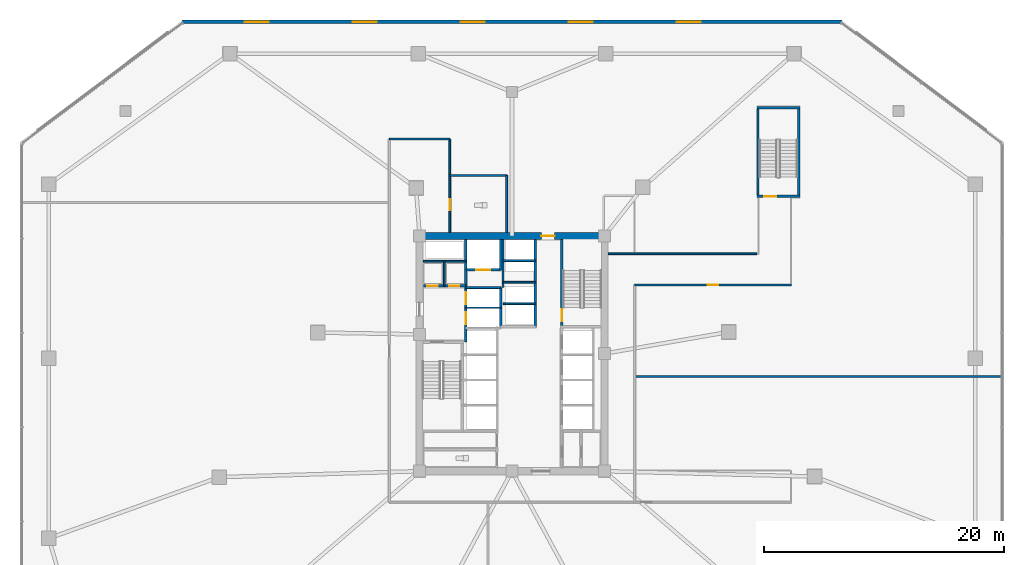
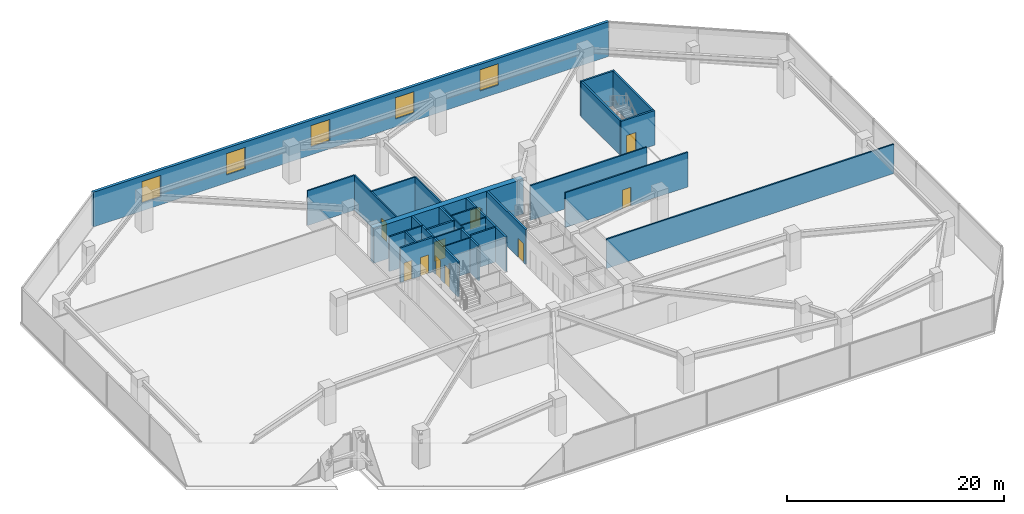
# One storey, part 12 of 21: 28 walls, 10 doors, 5 windows, 15 openings.
"""IFC4 building model written with IfcOpenShell, lengths in metres."""

from ifc_helpers import new_model, si_unit, direction, frame, frame_2d, origin, place, context, subcontext, project, spatial, rectangle, extrude, material, layer, layer_set, type_object, element, fill, save


model = new_model("IFC4")

# Units and contexts
model_context = context("Model", 3, precision=1e-05, world=origin(), true_north=direction((0.0, 1.0)))
body_context = subcontext(model_context, "Body", "Model", "MODEL_VIEW")
ifc_project = project(units=[si_unit("LENGTHUNIT", "METRE"), si_unit("AREAUNIT", "SQUARE_METRE"), si_unit("VOLUMEUNIT", "CUBIC_METRE"), si_unit("PLANEANGLEUNIT", "RADIAN"), si_unit("MASSUNIT", "GRAM", prefix="KILO")], contexts=[model_context])

# Site, building, storey
site_placement = place(None, origin())
site = spatial("IfcSite", under=ifc_project, at=site_placement, CompositionType="ELEMENT")
building_placement = place(site_placement, origin())
building = spatial("IfcBuilding", under=site, at=building_placement, Name="Savorim Split Tower", CompositionType="ELEMENT")
storey_placement = place(building_placement, frame((0.0, 0.0, 9.199951171875)))
storey = spatial("IfcBuildingStorey", under=building, at=storey_placement, Name="L02", CompositionType="ELEMENT", Elevation=9.199951171875)

# Wall, opening, door
ifc_material_1 = material(Name="Concrete C60/75", Category="concrete")
ifc_layer_1 = layer(ifc_material_1, 0.60009765625)
ifc_layer_set_1 = layer_set([ifc_layer_1], Name="WAL-COR-SH600")
wall_type_1 = type_object("IfcWallType", Name="WAL-COR-SH600", PredefinedType="SHEAR", material=ifc_layer_set_1)
wall_1_placement = place(storey_placement, frame((8.0, 10.199951171875, 0.0), z_axis=(0.0, 0.0, 1.0), x_axis=(-1.0, 0.0, 0.0)))
wall_1 = element("IfcWall", 1, at=wall_1_placement, inside=storey, type_object=wall_type_1, Name="L02 Offset Core North Shear Wall", PredefinedType="SHEAR", context=body_context, shape_type="SweptSolid", body=[
    extrude(rectangle(XDim=16.0, YDim=0.60009765625, at=frame_2d((8.0, 0.0))), origin(), (0.0, 0.0, 1.0), 3.920166015625),
])
opening_1_placement = place(wall_1_placement, frame((4.449951171875, 0.0, 0.0)))
opening_1 = element("IfcOpeningElement", 2, at=opening_1_placement, cuts=wall_1, Name="Opening DI-03", PredefinedType="OPENING", context=body_context, shape_type="SweptSolid", body=[
    extrude(rectangle(XDim=1.10009765625, YDim=2.14990234375, at=frame_2d((0.550048828125, 1.074951171875))), frame((0.0, 0.31005859375, 0.0), z_axis=(0.0, -1.0, 0.0), x_axis=(1.0, 0.0, 0.0)), (0.0, 0.0, 1.0), 0.6201171875),
])
ifc_material_2 = material(Name="Timber Fire Door Leaf", Category="wood")
door_type_1 = type_object("IfcDoorType", Name="DOR-FIR-1100", OperationType="NOTDEFINED", PredefinedType="DOOR", material=ifc_material_2)
door_1_placement = place(opening_1_placement, origin())
door_1 = element("IfcDoor", 3, at=door_1_placement, inside=storey, type_object=door_type_1, Name="DOR-L02-COR-NLOB - L02 North Corridor Lobby Fire Door", OperationType="SINGLE_SWING_LEFT", OverallHeight=2.14990234375, OverallWidth=1.10009765625, PredefinedType="DOOR", context=body_context, shape_type="SweptSolid", body=[
    extrude(rectangle(XDim=1.10009765625, YDim=2.14990234375, at=frame_2d((0.550048828125, 1.074951171875))), frame((0.0, 0.02490234375, 0.0), z_axis=(0.0, -1.0, 0.0), x_axis=(1.0, 0.0, 0.0)), (0.0, 0.0, 1.0), 0.050048828125),
])
fill(opening_1, door_1)

# Wall, openings, windows
ifc_material_3 = material(Name="Concrete C50/60", Category="concrete")
ifc_layer_2 = layer(ifc_material_3, 0.300048828125)
ifc_layer_set_2 = layer_set([ifc_layer_2], Name="WAL-EXT-POD300")
wall_type_2 = type_object("IfcWallType", Name="WAL-EXT-POD300", PredefinedType="SOLIDWALL", material=ifc_layer_set_2)
wall_2_placement = place(storey_placement, frame((-27.47998046875, 28.0400390625, 0.0), z_axis=(0.0, 0.0, 1.0), x_axis=(1.0, 0.0, 0.0)))
wall_2 = element("IfcWall", 4, at=wall_2_placement, inside=storey, type_object=wall_type_2, Name="L02 North Podium Window Wall", PredefinedType="SOLIDWALL", context=body_context, shape_type="SweptSolid", body=[
    extrude(rectangle(XDim=54.9599609375, YDim=0.300048828125, at=frame_2d((27.47998046875, 0.0))), origin(), (0.0, 0.0, 1.0), 3.920166015625),
])
opening_2_placement = place(wall_2_placement, frame((5.199951171875, 0.0, 0.89990234375)))
opening_2 = element("IfcOpeningElement", 5, at=opening_2_placement, cuts=wall_2, Name="Opening WN-02", PredefinedType="OPENING", context=body_context, shape_type="SweptSolid", body=[
    extrude(rectangle(XDim=2.0, YDim=2.39990234375, at=frame_2d((1.0, 1.199951171875))), frame((0.0, 0.159912109375, 0.0), z_axis=(0.0, -1.0, 0.0), x_axis=(1.0, 0.0, 0.0)), (0.0, 0.0, 1.0), 0.320068359375),
])
opening_3_placement = place(wall_2_placement, frame((14.199951171875, 0.0, 0.89990234375)))
opening_3 = element("IfcOpeningElement", 6, at=opening_3_placement, cuts=wall_2, Name="Opening WN-02", PredefinedType="OPENING", context=body_context, shape_type="SweptSolid", body=[
    extrude(rectangle(XDim=2.0, YDim=2.39990234375, at=frame_2d((1.0, 1.199951171875))), frame((0.0, 0.159912109375, 0.0), z_axis=(0.0, -1.0, 0.0), x_axis=(1.0, 0.0, 0.0)), (0.0, 0.0, 1.0), 0.320068359375),
])
opening_4_placement = place(wall_2_placement, frame((23.199951171875, 0.0, 0.89990234375)))
opening_4 = element("IfcOpeningElement", 7, at=opening_4_placement, cuts=wall_2, Name="Opening WN-02", PredefinedType="OPENING", context=body_context, shape_type="SweptSolid", body=[
    extrude(rectangle(XDim=2.0, YDim=2.39990234375, at=frame_2d((1.0, 1.199951171875))), frame((0.0, 0.159912109375, 0.0), z_axis=(0.0, -1.0, 0.0), x_axis=(1.0, 0.0, 0.0)), (0.0, 0.0, 1.0), 0.320068359375),
])
opening_5_placement = place(wall_2_placement, frame((32.199951171875, 0.0, 0.89990234375)))
opening_5 = element("IfcOpeningElement", 8, at=opening_5_placement, cuts=wall_2, Name="Opening WN-02", PredefinedType="OPENING", context=body_context, shape_type="SweptSolid", body=[
    extrude(rectangle(XDim=2.0, YDim=2.39990234375, at=frame_2d((1.0, 1.199951171875))), frame((0.0, 0.159912109375, 0.0), z_axis=(0.0, -1.0, 0.0), x_axis=(1.0, 0.0, 0.0)), (0.0, 0.0, 1.0), 0.320068359375),
])
opening_6_placement = place(wall_2_placement, frame((41.199951171875, 0.0, 0.89990234375)))
opening_6 = element("IfcOpeningElement", 9, at=opening_6_placement, cuts=wall_2, Name="Opening WN-02", PredefinedType="OPENING", context=body_context, shape_type="SweptSolid", body=[
    extrude(rectangle(XDim=2.0, YDim=2.39990234375, at=frame_2d((1.0, 1.199951171875))), frame((0.0, 0.159912109375, 0.0), z_axis=(0.0, -1.0, 0.0), x_axis=(1.0, 0.0, 0.0)), (0.0, 0.0, 1.0), 0.320068359375),
])
ifc_material_4 = material(Name="Low-E Operable Double Glazing", Category="glass")
window_type = type_object("IfcWindowType", Name="WIN-POD-2000x2400", PartitioningType="DOUBLE_PANEL_VERTICAL", PredefinedType="WINDOW", material=ifc_material_4)
window_1_placement = place(opening_2_placement, origin())
window_1 = element("IfcWindow", 10, at=window_1_placement, inside=storey, type_object=window_type, Name="L02 North Podium Operable Window 1", OverallHeight=2.39990234375, OverallWidth=2.0, PartitioningType="SINGLE_PANEL", PredefinedType="WINDOW", context=body_context, shape_type="SweptSolid", body=[
    extrude(rectangle(XDim=2.0, YDim=2.39990234375, at=frame_2d((1.0, 1.199951171875))), frame((0.0, 0.030029296875, 0.0), z_axis=(0.0, -1.0, 0.0), x_axis=(1.0, 0.0, 0.0)), (0.0, 0.0, 1.0), 0.06005859375),
])
fill(opening_2, window_1)
window_2_placement = place(opening_3_placement, origin())
window_2 = element("IfcWindow", 11, at=window_2_placement, inside=storey, type_object=window_type, Name="L02 North Podium Operable Window 2", OverallHeight=2.39990234375, OverallWidth=2.0, PartitioningType="SINGLE_PANEL", PredefinedType="WINDOW", context=body_context, shape_type="SweptSolid", body=[
    extrude(rectangle(XDim=2.0, YDim=2.39990234375, at=frame_2d((1.0, 1.199951171875))), frame((0.0, 0.030029296875, 0.0), z_axis=(0.0, -1.0, 0.0), x_axis=(1.0, 0.0, 0.0)), (0.0, 0.0, 1.0), 0.06005859375),
])
fill(opening_3, window_2)
window_3_placement = place(opening_4_placement, origin())
window_3 = element("IfcWindow", 12, at=window_3_placement, inside=storey, type_object=window_type, Name="L02 North Podium Operable Window 3", OverallHeight=2.39990234375, OverallWidth=2.0, PartitioningType="SINGLE_PANEL", PredefinedType="WINDOW", context=body_context, shape_type="SweptSolid", body=[
    extrude(rectangle(XDim=2.0, YDim=2.39990234375, at=frame_2d((1.0, 1.199951171875))), frame((0.0, 0.030029296875, 0.0), z_axis=(0.0, -1.0, 0.0), x_axis=(1.0, 0.0, 0.0)), (0.0, 0.0, 1.0), 0.06005859375),
])
fill(opening_4, window_3)
window_4_placement = place(opening_5_placement, origin())
window_4 = element("IfcWindow", 13, at=window_4_placement, inside=storey, type_object=window_type, Name="L02 North Podium Operable Window 4", OverallHeight=2.39990234375, OverallWidth=2.0, PartitioningType="SINGLE_PANEL", PredefinedType="WINDOW", context=body_context, shape_type="SweptSolid", body=[
    extrude(rectangle(XDim=2.0, YDim=2.39990234375, at=frame_2d((1.0, 1.199951171875))), frame((0.0, 0.030029296875, 0.0), z_axis=(0.0, -1.0, 0.0), x_axis=(1.0, 0.0, 0.0)), (0.0, 0.0, 1.0), 0.06005859375),
])
fill(opening_5, window_4)
window_5_placement = place(opening_6_placement, origin())
window_5 = element("IfcWindow", 14, at=window_5_placement, inside=storey, type_object=window_type, Name="L02 North Podium Operable Window 5", OverallHeight=2.39990234375, OverallWidth=2.0, PartitioningType="SINGLE_PANEL", PredefinedType="WINDOW", context=body_context, shape_type="SweptSolid", body=[
    extrude(rectangle(XDim=2.0, YDim=2.39990234375, at=frame_2d((1.0, 1.199951171875))), frame((0.0, 0.030029296875, 0.0), z_axis=(0.0, -1.0, 0.0), x_axis=(1.0, 0.0, 0.0)), (0.0, 0.0, 1.0), 0.06005859375),
])
fill(opening_6, window_5)

# Wall, openings, doors
ifc_layer_3 = layer(ifc_material_3, 0.199951171875)
ifc_layer_set_3 = layer_set([ifc_layer_3], Name="WAL-INT-RC200")
wall_type_3 = type_object("IfcWallType", Name="WAL-INT-RC200", PredefinedType="SOLIDWALL", material=ifc_layer_set_3)
wall_3_placement = place(storey_placement, frame((-3.85009765625, 1.35009765625, 0.0), z_axis=(0.0, 0.0, 1.0), x_axis=(0.0, 1.0, 0.0)))
wall_3 = element("IfcWall", 15, at=wall_3_placement, inside=storey, type_object=wall_type_3, Name="L02 Partition W-L02-CR03", PredefinedType="SOLIDWALL", context=body_context, shape_type="SweptSolid", body=[
    extrude(rectangle(XDim=8.544921875, YDim=0.199951171875, at=frame_2d((4.2724609375, 0.0))), origin(), (0.0, 0.0, 1.0), 3.920166015625),
])
opening_7_placement = place(wall_3_placement, frame((1.5, 0.0, 0.0)))
opening_7 = element("IfcOpeningElement", 16, at=opening_7_placement, cuts=wall_3, Name="Opening LD-FFL", PredefinedType="OPENING", context=body_context, shape_type="SweptSolid", body=[
    extrude(rectangle(XDim=1.0, YDim=2.14990234375, at=frame_2d((0.5, 1.074951171875))), frame((0.0, 0.10986328125, 0.0), z_axis=(0.0, -1.0, 0.0), x_axis=(1.0, 0.0, 0.0)), (0.0, 0.0, 1.0), 0.219970703125),
])
opening_8_placement = place(wall_3_placement, frame((3.179931640625, 0.0, 0.0)))
opening_8 = element("IfcOpeningElement", 17, at=opening_8_placement, cuts=wall_3, Name="Opening LD-FFL", PredefinedType="OPENING", context=body_context, shape_type="SweptSolid", body=[
    extrude(rectangle(XDim=1.0, YDim=2.14990234375, at=frame_2d((0.5, 1.074951171875))), frame((0.0, 0.10986328125, 0.0), z_axis=(0.0, -1.0, 0.0), x_axis=(1.0, 0.0, 0.0)), (0.0, 0.0, 1.0), 0.219970703125),
])
ifc_material_5 = material(Name="Charcoal Anodised Aluminium", Category="aluminium")
door_type_2 = type_object("IfcDoorType", Name="DOR-SLD-LD1000", OperationType="NOTDEFINED", PredefinedType="DOOR", material=ifc_material_5)
door_2_placement = place(opening_7_placement, origin())
door_2 = element("IfcDoor", 18, at=door_2_placement, inside=storey, type_object=door_type_2, Name="DR-L02-LD-FFL1 - L02 Firefighting Lift FFL-1 Sliding Landing Door", OperationType="DOUBLE_DOOR_SLIDING", OverallHeight=2.14990234375, OverallWidth=1.0, PredefinedType="DOOR", context=body_context, shape_type="SweptSolid", body=[
    extrude(rectangle(XDim=1.0, YDim=2.14990234375, at=frame_2d((0.5, 1.074951171875))), frame((0.0, 0.02490234375, 0.0), z_axis=(0.0, -1.0, 0.0), x_axis=(1.0, 0.0, 0.0)), (0.0, 0.0, 1.0), 0.050048828125),
])
fill(opening_7, door_2)
door_3_placement = place(opening_8_placement, origin())
door_3 = element("IfcDoor", 19, at=door_3_placement, inside=storey, type_object=door_type_2, Name="DR-L02-LD-FFL2 - L02 Firefighting Lift FFL-2 Sliding Landing Door", OperationType="DOUBLE_DOOR_SLIDING", OverallHeight=2.14990234375, OverallWidth=1.0, PredefinedType="DOOR", context=body_context, shape_type="SweptSolid", body=[
    extrude(rectangle(XDim=1.0, YDim=2.14990234375, at=frame_2d((0.5, 1.074951171875))), frame((0.0, 0.02490234375, 0.0), z_axis=(0.0, -1.0, 0.0), x_axis=(1.0, 0.0, 0.0)), (0.0, 0.0, 1.0), 0.050048828125),
])
fill(opening_8, door_3)

wall_4_placement = place(storey_placement, frame((-7.39501953125, 6.050048828125, 0.0), z_axis=(0.0, 0.0, 1.0), x_axis=(1.0, 0.0, 0.0)))
wall_4 = element("IfcWall", 20, at=wall_4_placement, inside=storey, type_object=wall_type_3, Name="L02 Partition W-L02-CR04", PredefinedType="SOLIDWALL", context=body_context, shape_type="SweptSolid", body=[
    extrude(rectangle(XDim=3.544921875, YDim=0.199951171875, at=frame_2d((1.7724609375, 0.0))), origin(), (0.0, 0.0, 1.0), 3.920166015625),
])
opening_9_placement = place(wall_4_placement, frame((0.344970703125, 0.0, 0.0)))
opening_9 = element("IfcOpeningElement", 21, at=opening_9_placement, cuts=wall_4, Name="Opening DI-12", PredefinedType="OPENING", context=body_context, shape_type="SweptSolid", body=[
    extrude(rectangle(XDim=0.85009765625, YDim=2.10009765625, at=frame_2d((0.425048828125, 1.050048828125))), frame((0.0, 0.10986328125, 0.0), z_axis=(0.0, -1.0, 0.0), x_axis=(1.0, 0.0, 0.0)), (0.0, 0.0, 1.0), 0.219970703125),
])
opening_10_placement = place(wall_4_placement, frame((2.14501953125, 0.0, 0.0)))
opening_10 = element("IfcOpeningElement", 22, at=opening_10_placement, cuts=wall_4, Name="Opening DI-12", PredefinedType="OPENING", context=body_context, shape_type="SweptSolid", body=[
    extrude(rectangle(XDim=0.85009765625, YDim=2.10009765625, at=frame_2d((0.425048828125, 1.050048828125))), frame((0.0, 0.10986328125, 0.0), z_axis=(0.0, -1.0, 0.0), x_axis=(1.0, 0.0, 0.0)), (0.0, 0.0, 1.0), 0.219970703125),
])
ifc_material_6 = material(Name="Galvanised Painted Steel Balustrade", Category="steel")
door_type_3 = type_object("IfcDoorType", Name="DOR-RIS-850", OperationType="NOTDEFINED", PredefinedType="DOOR", material=ifc_material_6)
door_4_placement = place(opening_9_placement, origin())
door_4 = element("IfcDoor", 23, at=door_4_placement, inside=storey, type_object=door_type_3, Name="DR-L02-ELR - L02 Electrical Riser Access Door", OperationType="SINGLE_SWING_RIGHT", OverallHeight=2.10009765625, OverallWidth=0.85009765625, PredefinedType="DOOR", context=body_context, shape_type="SweptSolid", body=[
    extrude(rectangle(XDim=0.85009765625, YDim=2.10009765625, at=frame_2d((0.425048828125, 1.050048828125))), frame((0.0, 0.02490234375, 0.0), z_axis=(0.0, -1.0, 0.0), x_axis=(1.0, 0.0, 0.0)), (0.0, 0.0, 1.0), 0.050048828125),
])
fill(opening_9, door_4)
door_5_placement = place(opening_10_placement, origin())
door_5 = element("IfcDoor", 24, at=door_5_placement, inside=storey, type_object=door_type_3, Name="DR-L02-TLR - L02 Telecom Riser Access Door", OperationType="SINGLE_SWING_LEFT", OverallHeight=2.10009765625, OverallWidth=0.85009765625, PredefinedType="DOOR", context=body_context, shape_type="SweptSolid", body=[
    extrude(rectangle(XDim=0.85009765625, YDim=2.10009765625, at=frame_2d((0.425048828125, 1.050048828125))), frame((0.0, 0.02490234375, 0.0), z_axis=(0.0, -1.0, 0.0), x_axis=(1.0, 0.0, 0.0)), (0.0, 0.0, 1.0), 0.050048828125),
])
fill(opening_10, door_5)

# Wall, opening, door
wall_5_placement = place(storey_placement, frame((4.14990234375, 2.75, 0.0), z_axis=(0.0, 0.0, 1.0), x_axis=(0.0, 1.0, 0.0)))
wall_5 = element("IfcWall", 25, at=wall_5_placement, inside=storey, type_object=wall_type_3, Name="L02 Structural Shaft Wall W-L02-CR07", PredefinedType="SOLIDWALL", context=body_context, shape_type="SweptSolid", body=[
    extrude(rectangle(XDim=7.14990234375, YDim=0.199951171875, at=frame_2d((3.574951171875, 0.0))), origin(), (0.0, 0.0, 1.0), 3.920166015625),
])
opening_11_placement = place(wall_5_placement, frame((0.35009765625, 0.0, 0.0)))
opening_11 = element("IfcOpeningElement", 26, at=opening_11_placement, cuts=wall_5, Name="Opening DI-04", PredefinedType="OPENING", context=body_context, shape_type="SweptSolid", body=[
    extrude(rectangle(XDim=1.0, YDim=2.14990234375, at=frame_2d((0.5, 1.074951171875))), frame((0.0, 0.10986328125, 0.0), z_axis=(0.0, -1.0, 0.0), x_axis=(1.0, 0.0, 0.0)), (0.0, 0.0, 1.0), 0.219970703125),
])
door_type_4 = type_object("IfcDoorType", Name="DOR-FIR-1000", OperationType="NOTDEFINED", PredefinedType="DOOR", material=ifc_material_2)
door_6_placement = place(opening_11_placement, origin())
door_6 = element("IfcDoor", 27, at=door_6_placement, inside=storey, type_object=door_type_4, Name="DR-L02-ST2 - L02 Stair ST-2 Enclosure Door", OperationType="SINGLE_SWING_RIGHT", OverallHeight=2.14990234375, OverallWidth=1.0, PredefinedType="DOOR", context=body_context, shape_type="SweptSolid", body=[
    extrude(rectangle(XDim=1.0, YDim=2.14990234375, at=frame_2d((0.5, 1.074951171875))), frame((0.0, 0.02490234375, 0.0), z_axis=(0.0, -1.0, 0.0), x_axis=(1.0, 0.0, 0.0)), (0.0, 0.0, 1.0), 0.050048828125),
])
fill(opening_11, door_6)

# Wall
wall_6_placement = place(storey_placement, frame((-0.949951171875, 2.64990234375, 0.0), z_axis=(0.0, 0.0, 1.0), x_axis=(0.0, 1.0, 0.0)))
element("IfcWall", 28, at=wall_6_placement, inside=storey, type_object=wall_type_3, Name="L02 Partition W-L02-FFLW", PredefinedType="SOLIDWALL", context=body_context, shape_type="SweptSolid", body=[
    extrude(rectangle(XDim=3.27001953125, YDim=0.199951171875, at=frame_2d((1.635009765625, 0.0))), origin(), (0.0, 0.0, 1.0), 3.920166015625),
])

# Wall, opening, door
wall_7_placement = place(storey_placement, frame((-3.85009765625, 7.3798828125, 0.0), z_axis=(0.0, 0.0, 1.0), x_axis=(1.0, 0.0, 0.0)))
wall_7 = element("IfcWall", 29, at=wall_7_placement, inside=storey, type_object=wall_type_3, Name="L02 Partition W-L02-SVLS", PredefinedType="SOLIDWALL", context=body_context, shape_type="SweptSolid", body=[
    extrude(rectangle(XDim=2.900146484375, YDim=0.199951171875, at=frame_2d((1.4501953125, 0.0))), origin(), (0.0, 0.0, 1.0), 3.920166015625),
])
opening_12_placement = place(wall_7_placement, frame((0.85009765625, 0.0, 0.0)))
opening_12 = element("IfcOpeningElement", 30, at=opening_12_placement, cuts=wall_7, Name="Opening LD-SV", PredefinedType="OPENING", context=body_context, shape_type="SweptSolid", body=[
    extrude(rectangle(XDim=1.199951171875, YDim=2.199951171875, at=frame_2d((0.60009765625, 1.10009765625))), frame((0.0, 0.10986328125, 0.0), z_axis=(0.0, -1.0, 0.0), x_axis=(1.0, 0.0, 0.0)), (0.0, 0.0, 1.0), 0.219970703125),
])
door_type_5 = type_object("IfcDoorType", Name="DOR-SLD-SV1200", OperationType="NOTDEFINED", PredefinedType="DOOR", material=ifc_material_5)
door_7_placement = place(opening_12_placement, origin())
door_7 = element("IfcDoor", 31, at=door_7_placement, inside=storey, type_object=door_type_5, Name="DR-L02-LD-SVL1 - L02 Service Lift SVL-1 Sliding Landing Door", OperationType="DOUBLE_DOOR_SLIDING", OverallHeight=2.199951171875, OverallWidth=1.199951171875, PredefinedType="DOOR", context=body_context, shape_type="SweptSolid", body=[
    extrude(rectangle(XDim=1.199951171875, YDim=2.199951171875, at=frame_2d((0.60009765625, 1.10009765625))), frame((0.0, 0.02490234375, 0.0), z_axis=(0.0, -1.0, 0.0), x_axis=(1.0, 0.0, 0.0)), (0.0, 0.0, 1.0), 0.050048828125),
])
fill(opening_12, door_7)

# Walls
wall_8_placement = place(storey_placement, frame((-0.949951171875, 7.3798828125, 0.0), z_axis=(0.0, 0.0, 1.0), x_axis=(0.0, 1.0, 0.0)))
element("IfcWall", 32, at=wall_8_placement, inside=storey, type_object=wall_type_3, Name="L02 Partition W-L02-SVLE", PredefinedType="SOLIDWALL", context=body_context, shape_type="SweptSolid", body=[
    extrude(rectangle(XDim=2.51513671875, YDim=0.199951171875, at=frame_2d((1.257568359375, 0.0))), origin(), (0.0, 0.0, 1.0), 3.920166015625),
])
wall_9_placement = place(storey_placement, frame((1.949951171875, 2.64990234375, 0.0), z_axis=(0.0, 0.0, 1.0), x_axis=(0.0, 1.0, 0.0)))
element("IfcWall", 33, at=wall_9_placement, inside=storey, type_object=wall_type_3, Name="L02 Partition W-L02-B3FRONT", PredefinedType="SOLIDWALL", context=body_context, shape_type="SweptSolid", body=[
    extrude(rectangle(XDim=7.2451171875, YDim=0.199951171875, at=frame_2d((3.62255859375, 0.0))), origin(), (0.0, 0.0, 1.0), 3.920166015625),
])

# Wall, opening, door
wall_10_placement = place(storey_placement, frame((20.39990234375, 13.5, 0.0), z_axis=(0.0, 0.0, 1.0), x_axis=(1.0, 0.0, 0.0)))
wall_10 = element("IfcWall", 34, at=wall_10_placement, inside=storey, type_object=wall_type_3, Name="L02 Structural Shaft Wall W-L02-ST3S", PredefinedType="SOLIDWALL", context=body_context, shape_type="SweptSolid", body=[
    extrude(rectangle(XDim=3.60009765625, YDim=0.199951171875, at=frame_2d((1.800048828125, 0.0))), origin(), (0.0, 0.0, 1.0), 3.920166015625),
])
opening_13_placement = place(wall_10_placement, frame((0.60009765625, 0.0, 0.0)))
opening_13 = element("IfcOpeningElement", 35, at=opening_13_placement, cuts=wall_10, Name="Opening DI-04", PredefinedType="OPENING", context=body_context, shape_type="SweptSolid", body=[
    extrude(rectangle(XDim=1.0, YDim=2.14990234375, at=frame_2d((0.5, 1.074951171875))), frame((0.0, 0.10986328125, 0.0), z_axis=(0.0, -1.0, 0.0), x_axis=(1.0, 0.0, 0.0)), (0.0, 0.0, 1.0), 0.219970703125),
])
door_8_placement = place(opening_13_placement, origin())
door_8 = element("IfcDoor", 36, at=door_8_placement, inside=storey, type_object=door_type_4, Name="DR-L02-ST3 - L02 Stair ST-3 Enclosure Door", OperationType="SINGLE_SWING_RIGHT", OverallHeight=2.14990234375, OverallWidth=1.0, PredefinedType="DOOR", context=body_context, shape_type="SweptSolid", body=[
    extrude(rectangle(XDim=1.0, YDim=2.14990234375, at=frame_2d((0.5, 1.074951171875))), frame((0.0, 0.02490234375, 0.0), z_axis=(0.0, -1.0, 0.0), x_axis=(1.0, 0.0, 0.0)), (0.0, 0.0, 1.0), 0.050048828125),
])
fill(opening_13, door_8)

# Walls
wall_11_placement = place(storey_placement, frame((20.39990234375, 20.89990234375, 0.0), z_axis=(0.0, 0.0, 1.0), x_axis=(1.0, 0.0, 0.0)))
element("IfcWall", 37, at=wall_11_placement, inside=storey, type_object=wall_type_3, Name="L02 Structural Shaft Wall W-L02-ST3N", PredefinedType="SOLIDWALL", context=body_context, shape_type="SweptSolid", body=[
    extrude(rectangle(XDim=3.60009765625, YDim=0.199951171875, at=frame_2d((1.800048828125, 0.0))), origin(), (0.0, 0.0, 1.0), 3.920166015625),
])
for number, where, z_axis, x_axis, name in (
    (38, (20.5, 13.60009765625, 0.0), (0.0, 0.0, 1.0), (0.0, 1.0, 0.0), "L02 Structural Shaft Wall W-L02-ST3W"),
    (39, (23.89990234375, 13.60009765625, 0.0), (0.0, 0.0, 1.0), (0.0, 1.0, 0.0), "L02 Structural Shaft Wall W-L02-ST3E"),
):
    element("IfcWall", number, at=place(storey_placement, frame(where, z_axis=z_axis, x_axis=x_axis)), inside=storey, type_object=wall_type_3, Name=name, PredefinedType="SOLIDWALL", context=body_context, shape_type="SweptSolid", body=[
        extrude(rectangle(XDim=7.199951171875, YDim=0.199951171875, at=frame_2d((3.60009765625, 0.0))), origin(), (0.0, 0.0, 1.0), 3.920166015625),
    ])
ifc_material_7 = material(Name="Acoustic Gypsum Partition Board")
ifc_layer_4 = layer(ifc_material_7, 0.1201171875)
ifc_layer_set_4 = layer_set([ifc_layer_4], Name="WAL-PAR-120")
wall_type_4 = type_object("IfcWallType", Name="WAL-PAR-120", PredefinedType="PARTITIONING", material=ifc_layer_set_4)
wall_12_placement = place(storey_placement, frame((-3.85009765625, 4.219970703125, 0.0), z_axis=(0.0, 0.0, 1.0), x_axis=(1.0, 0.0, 0.0)))
element("IfcWall", 40, at=wall_12_placement, inside=storey, type_object=wall_type_4, Name="L02 Partition W-L02-FFLD1", PredefinedType="PARTITIONING", context=body_context, shape_type="SweptSolid", body=[
    extrude(rectangle(XDim=2.900146484375, YDim=0.1201171875, at=frame_2d((1.4501953125, 0.0))), origin(), (0.0, 0.0, 1.0), 3.920166015625),
])
ifc_layer_5 = layer(ifc_material_7, 0.14990234375)
ifc_layer_set_5 = layer_set([ifc_layer_5], Name="WAL-PAR-150")
wall_type_5 = type_object("IfcWallType", Name="WAL-PAR-150", PredefinedType="PARTITIONING", material=ifc_layer_set_5)
wall_13_placement = place(storey_placement, frame((-7.39501953125, 8.10009765625, 0.0), z_axis=(0.0, 0.0, 1.0), x_axis=(1.0, 0.0, 0.0)))
element("IfcWall", 41, at=wall_13_placement, inside=storey, type_object=wall_type_5, Name="L02 Partition W-L02-CR05", PredefinedType="PARTITIONING", context=body_context, shape_type="SweptSolid", body=[
    extrude(rectangle(XDim=3.544921875, YDim=0.14990234375, at=frame_2d((1.7724609375, 0.0))), origin(), (0.0, 0.0, 1.0), 3.920166015625),
])
wall_14_placement = place(storey_placement, frame((-5.64990234375, 6.050048828125, 0.0), z_axis=(0.0, 0.0, 1.0), x_axis=(0.0, 1.0, 0.0)))
element("IfcWall", 42, at=wall_14_placement, inside=storey, type_object=wall_type_5, Name="L02 Partition W-L02-CR06", PredefinedType="PARTITIONING", context=body_context, shape_type="SweptSolid", body=[
    extrude(rectangle(XDim=2.050048828125, YDim=0.14990234375, at=frame_2d((1.02490234375, 0.0))), origin(), (0.0, 0.0, 1.0), 3.920166015625),
])
wall_15_placement = place(storey_placement, frame((-3.85009765625, 5.89990234375, 0.0), z_axis=(0.0, 0.0, 1.0), x_axis=(1.0, 0.0, 0.0)))
element("IfcWall", 43, at=wall_15_placement, inside=storey, type_object=wall_type_5, Name="L02 Partition W-L02-FFLD2", PredefinedType="PARTITIONING", context=body_context, shape_type="SweptSolid", body=[
    extrude(rectangle(XDim=2.900146484375, YDim=0.14990234375, at=frame_2d((1.4501953125, 0.0))), origin(), (0.0, 0.0, 1.0), 3.920166015625),
])
wall_16_placement = place(storey_placement, frame((-0.75, 5.919921875, 0.0), z_axis=(0.0, 0.0, 1.0), x_axis=(0.0, 1.0, 0.0)))
element("IfcWall", 44, at=wall_16_placement, inside=storey, type_object=wall_type_5, Name="L02 Partition W-L02-B3WEST", PredefinedType="PARTITIONING", context=body_context, shape_type="SweptSolid", body=[
    extrude(rectangle(XDim=3.97509765625, YDim=0.14990234375, at=frame_2d((1.987548828125, 0.0))), origin(), (0.0, 0.0, 1.0), 3.920166015625),
])
for number, where, z_axis, x_axis, name in (
    (45, (-0.75, 4.550048828125, 0.0), (0.0, 0.0, 1.0), (1.0, 0.0, 0.0), "L02 Partition W-L02-B3DIV1"),
    (46, (-0.75, 6.35009765625, 0.0), (0.0, 0.0, 1.0), (1.0, 0.0, 0.0), "L02 Partition W-L02-B3DIV2"),
    (47, (-0.75, 8.14990234375, 0.0), (0.0, 0.0, 1.0), (1.0, 0.0, 0.0), "L02 Partition W-L02-B3DIV3"),
):
    element("IfcWall", number, at=place(storey_placement, frame(where, z_axis=z_axis, x_axis=x_axis)), inside=storey, type_object=wall_type_5, Name=name, PredefinedType="PARTITIONING", context=body_context, shape_type="SweptSolid", body=[
        extrude(rectangle(XDim=2.699951171875, YDim=0.14990234375, at=frame_2d((1.35009765625, 0.0))), origin(), (0.0, 0.0, 1.0), 3.920166015625),
    ])
wall_17_placement = place(storey_placement, frame((-10.219970703125, 18.280029296875, 0.0), z_axis=(0.0, 0.0, 1.0), x_axis=(1.0, 0.0, 0.0)))
element("IfcWall", 48, at=wall_17_placement, inside=storey, type_object=wall_type_5, Name="L02 Partition W-L02-PCNW", PredefinedType="PARTITIONING", context=body_context, shape_type="SweptSolid", body=[
    extrude(rectangle(XDim=5.0400390625, YDim=0.14990234375, at=frame_2d((2.52001953125, 0.0))), origin(), (0.0, 0.0, 1.0), 3.920166015625),
])

# Wall, opening, door
wall_18_placement = place(storey_placement, frame((-5.179931640625, 10.5, 0.0), z_axis=(0.0, 0.0, 1.0), x_axis=(0.0, 1.0, 0.0)))
wall_18 = element("IfcWall", 49, at=wall_18_placement, inside=storey, type_object=wall_type_5, Name="L02 Partition W-L02-PCNE0", PredefinedType="PARTITIONING", context=body_context, shape_type="SweptSolid", body=[
    extrude(rectangle(XDim=7.780029296875, YDim=0.14990234375, at=frame_2d((3.89013671875, 0.0))), origin(), (0.0, 0.0, 1.0), 3.920166015625),
])
opening_14_placement = place(wall_18_placement, frame((1.848876953125, 0.0, 0.0)))
opening_14 = element("IfcOpeningElement", 50, at=opening_14_placement, cuts=wall_18, Name="Opening DI-11", PredefinedType="OPENING", context=body_context, shape_type="SweptSolid", body=[
    extrude(rectangle(XDim=0.89990234375, YDim=2.10009765625, at=frame_2d((0.449951171875, 1.050048828125))), frame((0.0, 0.0849609375, 0.0), z_axis=(0.0, -1.0, 0.0), x_axis=(1.0, 0.0, 0.0)), (0.0, 0.0, 1.0), 0.169921875),
])
ifc_material_8 = material(Name="Oak Veneer Acoustic Door")
door_type_6 = type_object("IfcDoorType", Name="DOR-WC-900", OperationType="NOTDEFINED", PredefinedType="DOOR", material=ifc_material_8)
door_9_placement = place(opening_14_placement, origin())
door_9 = element("IfcDoor", 51, at=door_9_placement, inside=storey, type_object=door_type_6, Name="DR-L02-RM01 - L02 Public WC Entry Door", OperationType="SINGLE_SWING_RIGHT", OverallHeight=2.10009765625, OverallWidth=0.89990234375, PredefinedType="DOOR", context=body_context, shape_type="SweptSolid", body=[
    extrude(rectangle(XDim=0.89990234375, YDim=2.10009765625, at=frame_2d((0.449951171875, 1.050048828125))), frame((0.0, 0.02490234375, 0.0), z_axis=(0.0, -1.0, 0.0), x_axis=(1.0, 0.0, 0.0)), (0.0, 0.0, 1.0), 0.050048828125),
])
fill(opening_14, door_9)

wall_19_placement = place(storey_placement, frame((10.219970703125, 6.1201171875, 0.0), z_axis=(0.0, 0.0, 1.0), x_axis=(1.0, 0.0, 0.0)))
wall_19 = element("IfcWall", 52, at=wall_19_placement, inside=storey, type_object=wall_type_5, Name="L02 Partition W-L02-PCNE", PredefinedType="PARTITIONING", context=body_context, shape_type="SweptSolid", body=[
    extrude(rectangle(XDim=13.06005859375, YDim=0.14990234375, at=frame_2d((6.530029296875, 0.0))), origin(), (0.0, 0.0, 1.0), 3.920166015625),
])
opening_15_placement = place(wall_19_placement, frame((6.080078125, 0.0, 0.0)))
opening_15 = element("IfcOpeningElement", 53, at=opening_15_placement, cuts=wall_19, Name="Opening DI-06", PredefinedType="OPENING", context=body_context, shape_type="SweptSolid", body=[
    extrude(rectangle(XDim=0.89990234375, YDim=2.10009765625, at=frame_2d((0.449951171875, 1.050048828125))), frame((0.0, 0.0849609375, 0.0), z_axis=(0.0, -1.0, 0.0), x_axis=(1.0, 0.0, 0.0)), (0.0, 0.0, 1.0), 0.169921875),
])
door_type_7 = type_object("IfcDoorType", Name="DOR-FIR-900", OperationType="NOTDEFINED", PredefinedType="DOOR", material=ifc_material_2)
door_10_placement = place(opening_15_placement, origin())
door_10 = element("IfcDoor", 54, at=door_10_placement, inside=storey, type_object=door_type_7, Name="DR-L02-RM04 - L02 Co-Working Commons Entry Door", OperationType="SINGLE_SWING_LEFT", OverallHeight=2.10009765625, OverallWidth=0.89990234375, PredefinedType="DOOR", context=body_context, shape_type="SweptSolid", body=[
    extrude(rectangle(XDim=0.89990234375, YDim=2.10009765625, at=frame_2d((0.449951171875, 1.050048828125))), frame((0.0, 0.02490234375, 0.0), z_axis=(0.0, -1.0, 0.0), x_axis=(1.0, 0.0, 0.0)), (0.0, 0.0, 1.0), 0.050048828125),
])
fill(opening_15, door_10)

# Walls
wall_20_placement = place(storey_placement, frame((8.0, 8.719970703125, 0.0), z_axis=(0.0, 0.0, 1.0), x_axis=(1.0, 0.0, 0.0)))
element("IfcWall", 55, at=wall_20_placement, inside=storey, type_object=wall_type_5, Name="L02 Partition W-L02-PCN2", PredefinedType="PARTITIONING", context=body_context, shape_type="SweptSolid", body=[
    extrude(rectangle(XDim=12.39990234375, YDim=0.14990234375, at=frame_2d((6.199951171875, 0.0))), origin(), (0.0, 0.0, 1.0), 3.920166015625),
])
wall_21_placement = place(storey_placement, frame((10.219970703125, -1.5, 0.0), z_axis=(0.0, 0.0, 1.0), x_axis=(1.0, 0.0, 0.0)))
element("IfcWall", 56, at=wall_21_placement, inside=storey, type_object=wall_type_5, Name="L02 Partition W-L02-PD2", PredefinedType="PARTITIONING", context=body_context, shape_type="SweptSolid", body=[
    extrude(rectangle(XDim=30.60009765625, YDim=0.14990234375, at=frame_2d((15.300048828125, 0.0))), origin(), (0.0, 0.0, 1.0), 3.304931640625),
])
wall_22_placement = place(storey_placement, frame((-0.449951171875, 10.5, 0.0), z_axis=(0.0, 0.0, 1.0), x_axis=(0.0, 1.0, 0.0)))
element("IfcWall", 57, at=wall_22_placement, inside=storey, type_object=wall_type_5, Name="L02 Partition W-L02-PWCE", PredefinedType="PARTITIONING", context=body_context, shape_type="SweptSolid", body=[
    extrude(rectangle(XDim=4.75, YDim=0.14990234375, at=frame_2d((2.375, 0.0))), origin(), (0.0, 0.0, 1.0), 3.920166015625),
])
wall_23_placement = place(storey_placement, frame((-5.179931640625, 15.25, 0.0), z_axis=(0.0, 0.0, 1.0), x_axis=(1.0, 0.0, 0.0)))
element("IfcWall", 58, at=wall_23_placement, inside=storey, type_object=wall_type_5, Name="L02 Partition W-L02-PWCN", PredefinedType="PARTITIONING", context=body_context, shape_type="SweptSolid", body=[
    extrude(rectangle(XDim=4.72998046875, YDim=0.14990234375, at=frame_2d((2.364990234375, 0.0))), origin(), (0.0, 0.0, 1.0), 3.920166015625),
])

save(model, "model.ifc")
